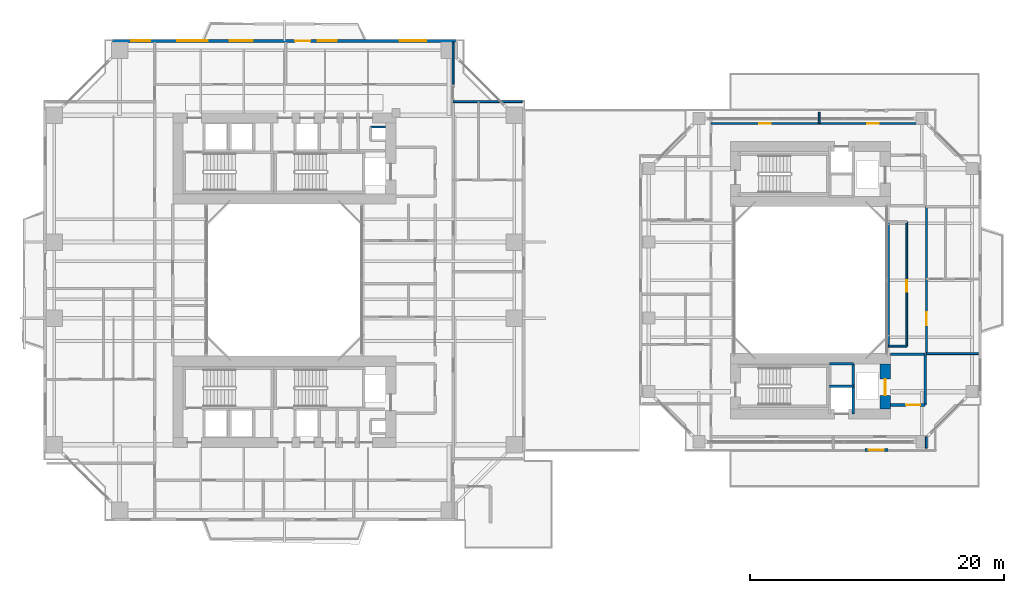
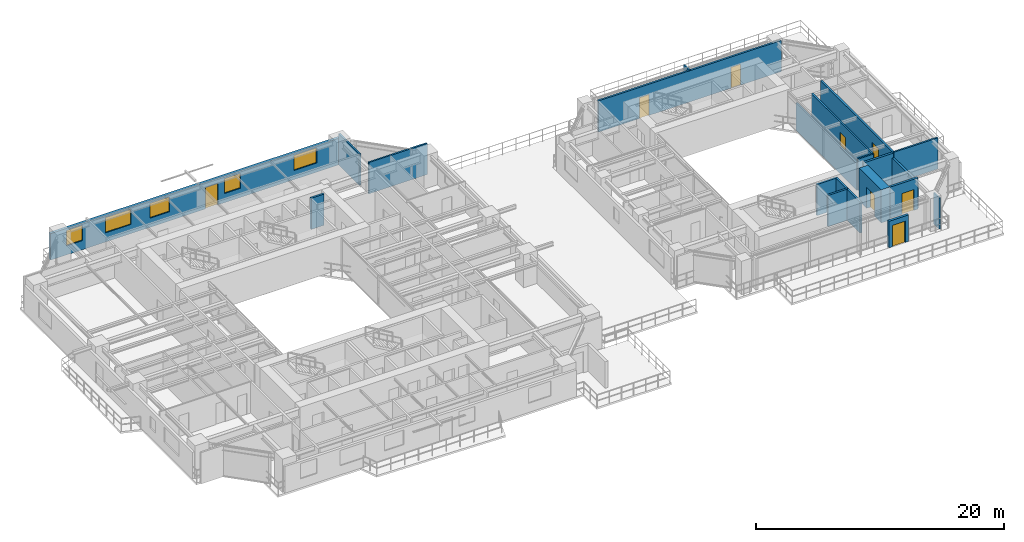
# One storey, part 15 of 22: 20 walls, 8 doors, 5 windows, 13 openings.
"""IFC4 building model written with IfcOpenShell, lengths in metres."""

from ifc_helpers import new_model, si_unit, direction, frame, frame_2d, origin, place, context, subcontext, project, spatial, rectangle, extrude, source, transform, mapped, material, layer, layer_set, type_object, element, fill, save


model = new_model("IFC4")

# Units and contexts
model_context = context("Model", 3, precision=1e-05, world=origin(), true_north=direction((0.0, 1.0)))
body_context = subcontext(model_context, "Body", "Model", "MODEL_VIEW")
ifc_project = project(units=[si_unit("LENGTHUNIT", "METRE"), si_unit("AREAUNIT", "SQUARE_METRE"), si_unit("VOLUMEUNIT", "CUBIC_METRE"), si_unit("PLANEANGLEUNIT", "RADIAN"), si_unit("MASSUNIT", "GRAM", prefix="KILO"), si_unit("THERMODYNAMICTEMPERATUREUNIT", "KELVIN"), si_unit("POWERUNIT", "WATT")], contexts=[model_context])

# Site, building, storey
site_placement = place(None, origin())
site = spatial("IfcSite", under=ifc_project, at=site_placement, CompositionType="ELEMENT")
building_placement = place(site_placement, origin())
building = spatial("IfcBuilding", under=site, at=building_placement, Name="Qiaomeng Ring Towers", CompositionType="ELEMENT")
storey_placement = place(building_placement, frame((0.0, 0.0, 23.0)))
storey = spatial("IfcBuildingStorey", under=building, at=storey_placement, Name="L05", CompositionType="ELEMENT", Elevation=23.0)

# Wall, openings, windows, door
ifc_material_1 = material(Name="Precast concrete C40", Category="concrete")
ifc_layer_1 = layer(ifc_material_1, 0.25, Name="Precast concrete C40")
ifc_layer_set_1 = layer_set([ifc_layer_1], Name="Precast concrete C40")
wall_type_1 = type_object("IfcWallType", Name="ARC-WL-EW1", PredefinedType="STANDARD", material=ifc_layer_set_1)
wall_1_placement = place(storey_placement, frame((5.449951171875, 41.875, 0.0), z_axis=(0.0, 0.0, 1.0), x_axis=(1.0, 0.0, 0.0)))
wall_1 = element("IfcWall", 1, at=wall_1_placement, inside=storey, type_object=wall_type_1, Name="L05 Tower 1 N Exterior Wall", PredefinedType="STANDARD", context=body_context, shape_type="SweptSolid", body=[
    extrude(rectangle(XDim=27.10009765625, YDim=0.25, at=frame_2d((13.550048828125, 0.0))), origin(), (0.0, 0.0, 1.0), 2.610107421875),
])
opening_1_placement = place(wall_1_placement, frame((14.39990234375, 0.0, 0.0)))
opening_1 = element("IfcOpeningElement", 2, at=opening_1_placement, cuts=wall_1, Name="Opening BD1", PredefinedType="OPENING", context=body_context, shape_type="SweptSolid", body=[
    extrude(rectangle(XDim=1.199951171875, YDim=2.10009765625, at=frame_2d((0.60009765625, 1.050048828125))), frame((0.0, 0.135009765625, 0.0), z_axis=(0.0, -1.0, 0.0), x_axis=(1.0, 0.0, 0.0)), (0.0, 0.0, 1.0), 0.27001953125),
])
opening_2_placement = place(wall_1_placement, frame((1.47998046875, 0.0, 0.89990234375)))
opening_2 = element("IfcOpeningElement", 3, at=opening_2_placement, cuts=wall_1, Name="Opening WN2", PredefinedType="OPENING", context=body_context, shape_type="SweptSolid", body=[
    extrude(rectangle(XDim=1.5, YDim=1.5, at=frame_2d((0.75, 0.75))), frame((0.0, 0.135009765625, 0.0), z_axis=(0.0, -1.0, 0.0), x_axis=(1.0, 0.0, 0.0)), (0.0, 0.0, 1.0), 0.27001953125),
])
opening_3_placement = place(wall_1_placement, frame((9.262939453125, 0.0, 0.89990234375)))
opening_3 = element("IfcOpeningElement", 4, at=opening_3_placement, cuts=wall_1, Name="Opening WN1", PredefinedType="OPENING", context=body_context, shape_type="SweptSolid", body=[
    extrude(rectangle(XDim=1.800048828125, YDim=1.449951171875, at=frame_2d((0.89990234375, 0.72509765625))), frame((0.0, 0.135009765625, 0.0), z_axis=(0.0, -1.0, 0.0), x_axis=(1.0, 0.0, 0.0)), (0.0, 0.0, 1.0), 0.27001953125),
])
opening_4_placement = place(wall_1_placement, frame((16.18798828125, 0.0, 0.89990234375)))
opening_4 = element("IfcOpeningElement", 5, at=opening_4_placement, cuts=wall_1, Name="Opening WN2", PredefinedType="OPENING", context=body_context, shape_type="SweptSolid", body=[
    extrude(rectangle(XDim=1.5, YDim=1.449951171875, at=frame_2d((0.75, 0.72509765625))), frame((0.0, 0.135009765625, 0.0), z_axis=(0.0, -1.0, 0.0), x_axis=(1.0, 0.0, 0.0)), (0.0, 0.0, 1.0), 0.27001953125),
])
opening_5_placement = place(wall_1_placement, frame((22.6630859375, 0.0, 0.89990234375)))
opening_5 = element("IfcOpeningElement", 6, at=opening_5_placement, cuts=wall_1, Name="Opening WN4", PredefinedType="OPENING", context=body_context, shape_type="SweptSolid", body=[
    extrude(rectangle(XDim=2.10009765625, YDim=1.47998046875, at=frame_2d((1.050048828125, 0.739990234375))), frame((0.0, 0.135009765625, 0.0), z_axis=(0.0, -1.0, 0.0), x_axis=(1.0, 0.0, 0.0)), (0.0, 0.0, 1.0), 0.27001953125),
])
opening_6_placement = place(wall_1_placement, frame((5.114013671875, 0.0, 0.89990234375)))
opening_6 = element("IfcOpeningElement", 7, at=opening_6_placement, cuts=wall_1, Name="Opening WN6", PredefinedType="OPENING", context=body_context, shape_type="SweptSolid", body=[
    extrude(rectangle(XDim=2.39990234375, YDim=1.5, at=frame_2d((1.199951171875, 0.75))), frame((0.0, 0.135009765625, 0.0), z_axis=(0.0, -1.0, 0.0), x_axis=(1.0, 0.0, 0.0)), (0.0, 0.0, 1.0), 0.27001953125),
])
ifc_material_2 = material(Name="Low-E dark-grey laminated double glazing", Category="glass")
window_type_1 = type_object("IfcWindowType", Name="ARC-WN-2", PartitioningType="DOUBLE_PANEL_VERTICAL", PredefinedType="WINDOW", material=ifc_material_2)
shared_shape_1 = source(origin(), body_context, "Body", "SweptSolid", [
    extrude(rectangle(XDim=1.5, YDim=1.449951171875, at=frame_2d((0.75, 0.72509765625))), frame((0.0, 0.030029296875, 0.0), z_axis=(0.0, -1.0, 0.0), x_axis=(1.0, 0.0, 0.0)), (0.0, 0.0, 1.0), 0.06005859375),
])
window_1_placement = place(opening_4_placement, origin())
window_1 = element("IfcWindow", 8, at=window_1_placement, inside=storey, type_object=window_type_1, Name="L05 Exterior Window WN2", OverallHeight=1.449951171875, OverallWidth=1.5, PartitioningType="DOUBLE_PANEL_VERTICAL", PredefinedType="WINDOW", context=body_context, shape_type="MappedRepresentation", body=[
    mapped(shared_shape_1, transform((0.0, 0.0, 0.0), x_axis=(1.0, 0.0, 0.0), y_axis=(0.0, 1.0, 0.0), z_axis=(0.0, 0.0, 1.0), scale=1.0)),
])
fill(opening_4, window_1)
window_type_2 = type_object("IfcWindowType", Name="ARC-WN-4", PartitioningType="TRIPLE_PANEL_VERTICAL", PredefinedType="WINDOW", material=ifc_material_2)
shared_shape_2 = source(origin(), body_context, "Body", "SweptSolid", [
    extrude(rectangle(XDim=2.10009765625, YDim=1.47998046875, at=frame_2d((1.050048828125, 0.739990234375))), frame((0.0, 0.030029296875, 0.0), z_axis=(0.0, -1.0, 0.0), x_axis=(1.0, 0.0, 0.0)), (0.0, 0.0, 1.0), 0.06005859375),
])
window_2_placement = place(opening_5_placement, origin())
window_2 = element("IfcWindow", 9, at=window_2_placement, inside=storey, type_object=window_type_2, Name="L05 Exterior Window WN4", OverallHeight=1.47998046875, OverallWidth=2.10009765625, PartitioningType="TRIPLE_PANEL_VERTICAL", PredefinedType="WINDOW", context=body_context, shape_type="MappedRepresentation", body=[
    mapped(shared_shape_2, transform((0.0, 0.0, 0.0), x_axis=(1.0, 0.0, 0.0), y_axis=(0.0, 1.0, 0.0), z_axis=(0.0, 0.0, 1.0), scale=1.0)),
])
fill(opening_5, window_2)
window_type_3 = type_object("IfcWindowType", Name="ARC-WN-1", PartitioningType="DOUBLE_PANEL_VERTICAL", PredefinedType="WINDOW", material=ifc_material_2)
shared_shape_3 = source(origin(), body_context, "Body", "SweptSolid", [
    extrude(rectangle(XDim=1.800048828125, YDim=1.449951171875, at=frame_2d((0.89990234375, 0.72509765625))), frame((0.0, 0.030029296875, 0.0), z_axis=(0.0, -1.0, 0.0), x_axis=(1.0, 0.0, 0.0)), (0.0, 0.0, 1.0), 0.06005859375),
])
window_3_placement = place(opening_3_placement, origin())
window_3 = element("IfcWindow", 10, at=window_3_placement, inside=storey, type_object=window_type_3, Name="L05 Exterior Window WN1", OverallHeight=1.449951171875, OverallWidth=1.800048828125, PartitioningType="DOUBLE_PANEL_VERTICAL", PredefinedType="WINDOW", context=body_context, shape_type="MappedRepresentation", body=[
    mapped(shared_shape_3, transform((0.0, 0.0, 0.0), x_axis=(1.0, 0.0, 0.0), y_axis=(0.0, 1.0, 0.0), z_axis=(0.0, 0.0, 1.0), scale=1.0)),
])
fill(opening_3, window_3)
door_type_1 = type_object("IfcDoorType", Name="ARC-DR-BD1", OperationType="NOTDEFINED", PredefinedType="DOOR", material=ifc_material_2)
shared_shape_4 = source(origin(), body_context, "Body", "SweptSolid", [
    extrude(rectangle(XDim=1.199951171875, YDim=2.10009765625, at=frame_2d((0.60009765625, 1.050048828125))), frame((0.0, 0.02490234375, 0.0), z_axis=(0.0, -1.0, 0.0), x_axis=(1.0, 0.0, 0.0)), (0.0, 0.0, 1.0), 0.050048828125),
])
door_1_placement = place(opening_1_placement, origin())
door_1 = element("IfcDoor", 11, at=door_1_placement, inside=storey, type_object=door_type_1, Name="L05 N Balcony Glazed Door", OperationType="SINGLE_SWING_LEFT", OverallHeight=2.10009765625, OverallWidth=1.199951171875, PredefinedType="DOOR", context=body_context, shape_type="MappedRepresentation", body=[
    mapped(shared_shape_4, transform((0.0, 0.0, 0.0), x_axis=(1.0, 0.0, 0.0), y_axis=(0.0, 1.0, 0.0), z_axis=(0.0, 0.0, 1.0), scale=1.0)),
])
fill(opening_1, door_1)
shared_shape_5 = source(origin(), body_context, "Body", "SweptSolid", [
    extrude(rectangle(XDim=1.5, YDim=1.5, at=frame_2d((0.75, 0.75))), frame((0.0, 0.030029296875, 0.0), z_axis=(0.0, -1.0, 0.0), x_axis=(1.0, 0.0, 0.0)), (0.0, 0.0, 1.0), 0.06005859375),
])
window_4_placement = place(opening_2_placement, origin())
window_4 = element("IfcWindow", 12, at=window_4_placement, inside=storey, type_object=window_type_1, Name="L05 Exterior Window WN6", OverallHeight=1.5, OverallWidth=1.5, PartitioningType="TRIPLE_PANEL_VERTICAL", PredefinedType="WINDOW", context=body_context, shape_type="MappedRepresentation", body=[
    mapped(shared_shape_5, transform((0.0, 0.0, 0.0), x_axis=(1.0, 0.0, 0.0), y_axis=(0.0, 1.0, 0.0), z_axis=(0.0, 0.0, 1.0), scale=1.0)),
])
fill(opening_2, window_4)
window_type_4 = type_object("IfcWindowType", Name="ARC-WN-6", PartitioningType="TRIPLE_PANEL_VERTICAL", PredefinedType="WINDOW", material=ifc_material_2)
shared_shape_6 = source(origin(), body_context, "Body", "SweptSolid", [
    extrude(rectangle(XDim=2.39990234375, YDim=1.5, at=frame_2d((1.199951171875, 0.75))), frame((0.0, 0.030029296875, 0.0), z_axis=(0.0, -1.0, 0.0), x_axis=(1.0, 0.0, 0.0)), (0.0, 0.0, 1.0), 0.06005859375),
])
window_5_placement = place(opening_6_placement, origin())
window_5 = element("IfcWindow", 13, at=window_5_placement, inside=storey, type_object=window_type_4, Name="L05 Exterior Window WN6", OverallHeight=1.5, OverallWidth=2.39990234375, PartitioningType="TRIPLE_PANEL_VERTICAL", PredefinedType="WINDOW", context=body_context, shape_type="MappedRepresentation", body=[
    mapped(shared_shape_6, transform((0.0, 0.0, 0.0), x_axis=(1.0, 0.0, 0.0), y_axis=(0.0, 1.0, 0.0), z_axis=(0.0, 0.0, 1.0), scale=1.0)),
])
fill(opening_6, window_5)

# Wall, opening, door
ifc_layer_2 = layer(ifc_material_1, 0.219970703125, Name="Precast concrete C40")
ifc_layer_set_2 = layer_set([ifc_layer_2], Name="Precast concrete C40")
wall_type_2 = type_object("IfcWallType", Name="ARC-WL-EW2", PredefinedType="STANDARD", material=ifc_layer_set_2)
wall_2_placement = place(storey_placement, frame((64.800048828125, 9.610107421875, 0.0), z_axis=(0.0, 0.0, 1.0), x_axis=(1.0, 0.0, 0.0)))
wall_2 = element("IfcWall", 14, at=wall_2_placement, inside=storey, type_object=wall_type_2, Name="L05 Companion South Terrace Gate Wall", PredefinedType="STANDARD", context=body_context, shape_type="SweptSolid", body=[
    extrude(rectangle(XDim=1.800048828125, YDim=0.219970703125, at=frame_2d((0.89990234375, 0.0))), origin(), (0.0, 0.0, 1.0), 2.610107421875),
])
opening_7_placement = place(wall_2_placement, frame((0.300048828125, 0.0, 0.0)))
opening_7 = element("IfcOpeningElement", 15, at=opening_7_placement, cuts=wall_2, Name="Opening BD1", PredefinedType="OPENING", context=body_context, shape_type="SweptSolid", body=[
    extrude(rectangle(XDim=1.199951171875, YDim=2.10009765625, at=frame_2d((0.60009765625, 1.050048828125))), frame((0.0, 0.119873046875, 0.0), z_axis=(0.0, -1.0, 0.0), x_axis=(1.0, 0.0, 0.0)), (0.0, 0.0, 1.0), 0.239990234375),
])
door_2_placement = place(opening_7_placement, frame((1.199951171875, 0.0, 0.0), z_axis=(0.0, 0.0, 1.0), x_axis=(-1.0, 0.0, 0.0)))
door_2 = element("IfcDoor", 16, at=door_2_placement, inside=storey, type_object=door_type_1, Name="L05 Companion South Roof Terrace Door", OperationType="SINGLE_SWING_LEFT", OverallHeight=2.10009765625, OverallWidth=1.199951171875, PredefinedType="DOOR", context=body_context, shape_type="MappedRepresentation", body=[
    mapped(shared_shape_4, transform((0.0, 0.0, 0.0), x_axis=(1.0, 0.0, 0.0), y_axis=(0.0, 1.0, 0.0), z_axis=(0.0, 0.0, 1.0), scale=1.0)),
])
fill(opening_7, door_2)

# Walls
ifc_material_3 = material(Name="Autoclaved aerated concrete block", Category="concrete")
ifc_layer_3 = layer(ifc_material_3, 0.199951171875, Name="Autoclaved aerated concrete block")
ifc_layer_set_3 = layer_set([ifc_layer_3], Name="Autoclaved aerated concrete block")
wall_type_3 = type_object("IfcWallType", Name="ARC-WL-PW1", PredefinedType="PARTITIONING", material=ifc_layer_set_3)
wall_3_placement = place(storey_placement, frame((66.800048828125, 17.14990234375, 0.0), z_axis=(0.0, 0.0, 1.0), x_axis=(1.0, 0.0, 0.0)))
element("IfcWall", 17, at=wall_3_placement, inside=storey, type_object=wall_type_3, Name="L05 Interior Wall PW1", PredefinedType="PARTITIONING", context=body_context, shape_type="SweptSolid", body=[
    extrude(rectangle(XDim=2.75, YDim=0.199951171875, at=frame_2d((1.375, 0.0))), origin(), (0.0, 0.0, 1.0), 3.070068359375),
])
wall_4_placement = place(storey_placement, frame((69.550048828125, 13.14990234375, 0.0), z_axis=(0.0, 0.0, 1.0), x_axis=(0.0, 1.0, 0.0)))
element("IfcWall", 18, at=wall_4_placement, inside=storey, type_object=wall_type_3, Name="L05 Interior Wall PW1", PredefinedType="PARTITIONING", context=body_context, shape_type="SweptSolid", body=[
    extrude(rectangle(XDim=4.0, YDim=0.199951171875, at=frame_2d((2.0, 0.0))), origin(), (0.0, 0.0, 1.0), 2.614990234375),
])

# Wall, opening, door
wall_5_placement = place(storey_placement, frame((66.800048828125, 13.14990234375, 0.0), z_axis=(0.0, 0.0, 1.0), x_axis=(1.0, 0.0, 0.0)))
wall_5 = element("IfcWall", 19, at=wall_5_placement, inside=storey, type_object=wall_type_3, Name="L05 Interior Wall PW1", PredefinedType="PARTITIONING", context=body_context, shape_type="SweptSolid", body=[
    extrude(rectangle(XDim=2.75, YDim=0.199951171875, at=frame_2d((1.375, 0.0))), origin(), (0.0, 0.0, 1.0), 3.070068359375),
])
opening_8_placement = place(wall_5_placement, frame((1.25, 0.0, 0.0)))
opening_8 = element("IfcOpeningElement", 20, at=opening_8_placement, cuts=wall_5, Name="Opening FD3", PredefinedType="OPENING", context=body_context, shape_type="SweptSolid", body=[
    extrude(rectangle(XDim=1.10009765625, YDim=2.050048828125, at=frame_2d((0.550048828125, 1.02490234375))), frame((0.0, 0.10986328125, 0.0), z_axis=(0.0, -1.0, 0.0), x_axis=(1.0, 0.0, 0.0)), (0.0, 0.0, 1.0), 0.219970703125),
])
ifc_material_4 = material(Name="Galvanised steel", Category="steel")
door_type_2 = type_object("IfcDoorType", Name="ARC-DR-FD3", OperationType="NOTDEFINED", PredefinedType="DOOR", material=ifc_material_4)
shared_shape_7 = source(origin(), body_context, "Body", "SweptSolid", [
    extrude(rectangle(XDim=1.10009765625, YDim=2.050048828125, at=frame_2d((0.550048828125, 1.02490234375))), frame((0.0, 0.02490234375, 0.0), z_axis=(0.0, -1.0, 0.0), x_axis=(1.0, 0.0, 0.0)), (0.0, 0.0, 1.0), 0.050048828125),
])
door_3_placement = place(opening_8_placement, origin())
door_3 = element("IfcDoor", 21, at=door_3_placement, inside=storey, type_object=door_type_2, Name="L05 Door FD3", OperationType="SINGLE_SWING_RIGHT", OverallHeight=2.050048828125, OverallWidth=1.10009765625, PredefinedType="DOOR", context=body_context, shape_type="MappedRepresentation", body=[
    mapped(shared_shape_7, transform((0.0, 0.0, 0.0), x_axis=(1.0, 0.0, 0.0), y_axis=(0.0, 1.0, 0.0), z_axis=(0.0, 0.0, 1.0), scale=1.0)),
])
fill(opening_8, door_3)

ifc_layer_4 = layer(ifc_material_3, 0.179931640625, Name="Autoclaved aerated concrete block")
ifc_layer_set_4 = layer_set([ifc_layer_4], Name="Autoclaved aerated concrete block")
wall_type_4 = type_object("IfcWallType", Name="ARC-WL-PW2", PredefinedType="PARTITIONING", material=ifc_layer_set_4)
wall_6_placement = place(storey_placement, frame((69.64990234375, 17.199951171875, 0.0), z_axis=(0.0, 0.0, 1.0), x_axis=(0.0, 1.0, 0.0)))
wall_6 = element("IfcWall", 22, at=wall_6_placement, inside=storey, type_object=wall_type_4, Name="L05 Interior Wall PW2", PredefinedType="PARTITIONING", context=body_context, shape_type="SweptSolid", body=[
    extrude(rectangle(XDim=11.60009765625, YDim=0.179931640625, at=frame_2d((5.800048828125, 0.0))), origin(), (0.0, 0.0, 1.0), 3.070068359375),
])
opening_9_placement = place(wall_6_placement, frame((2.260009765625, 0.0, 0.0)))
opening_9 = element("IfcOpeningElement", 23, at=opening_9_placement, cuts=wall_6, Name="Opening FD4", PredefinedType="OPENING", context=body_context, shape_type="SweptSolid", body=[
    extrude(rectangle(XDim=1.0, YDim=2.050048828125, at=frame_2d((0.5, 1.02490234375))), frame((0.0, 0.099853515625, 0.0), z_axis=(0.0, -1.0, 0.0), x_axis=(1.0, 0.0, 0.0)), (0.0, 0.0, 1.0), 0.199951171875),
])
ifc_material_5 = material(Name="Engineered fire-rated oak timber", Category="wood")
door_type_3 = type_object("IfcDoorType", Name="ARC-DR-FD4", OperationType="NOTDEFINED", PredefinedType="DOOR", material=ifc_material_5)
shared_shape_8 = source(origin(), body_context, "Body", "SweptSolid", [
    extrude(rectangle(XDim=1.0, YDim=2.050048828125, at=frame_2d((0.5, 1.02490234375))), frame((0.0, 0.02490234375, 0.0), z_axis=(0.0, -1.0, 0.0), x_axis=(1.0, 0.0, 0.0)), (0.0, 0.0, 1.0), 0.050048828125),
])
door_4_placement = place(opening_9_placement, origin())
door_4 = element("IfcDoor", 24, at=door_4_placement, inside=storey, type_object=door_type_3, Name="L05 Door FD4", OperationType="SINGLE_SWING_RIGHT", OverallHeight=2.050048828125, OverallWidth=1.0, PredefinedType="DOOR", context=body_context, shape_type="MappedRepresentation", body=[
    mapped(shared_shape_8, transform((0.0, 0.0, 0.0), x_axis=(1.0, 0.0, 0.0), y_axis=(0.0, 1.0, 0.0), z_axis=(0.0, 0.0, 1.0), scale=1.0)),
])
fill(opening_9, door_4)

# Wall, openings, doors
wall_7_placement = place(storey_placement, frame((52.64990234375, 35.35009765625, 0.0), z_axis=(0.0, 0.0, 1.0), x_axis=(1.0, 0.0, 0.0)))
wall_7 = element("IfcWall", 25, at=wall_7_placement, inside=storey, type_object=wall_type_4, Name="L05 Interior Wall PW2", PredefinedType="PARTITIONING", context=body_context, shape_type="SweptSolid", body=[
    extrude(rectangle(XDim=17.0, YDim=0.179931640625, at=frame_2d((8.5, 0.0))), origin(), (0.0, 0.0, 1.0), 3.070068359375),
])
opening_10_placement = place(wall_7_placement, frame((3.824951171875, 0.0, 0.0)))
opening_10 = element("IfcOpeningElement", 26, at=opening_10_placement, cuts=wall_7, Name="Opening ID1", PredefinedType="OPENING", context=body_context, shape_type="SweptSolid", body=[
    extrude(rectangle(XDim=0.89990234375, YDim=2.050048828125, at=frame_2d((0.449951171875, 1.02490234375))), frame((0.0, 0.099853515625, 0.0), z_axis=(0.0, -1.0, 0.0), x_axis=(1.0, 0.0, 0.0)), (0.0, 0.0, 1.0), 0.199951171875),
])
opening_11_placement = place(wall_7_placement, frame((12.324951171875, 0.0, 0.0)))
opening_11 = element("IfcOpeningElement", 27, at=opening_11_placement, cuts=wall_7, Name="Opening ID1", PredefinedType="OPENING", context=body_context, shape_type="SweptSolid", body=[
    extrude(rectangle(XDim=0.89990234375, YDim=2.050048828125, at=frame_2d((0.449951171875, 1.02490234375))), frame((0.0, 0.099853515625, 0.0), z_axis=(0.0, -1.0, 0.0), x_axis=(1.0, 0.0, 0.0)), (0.0, 0.0, 1.0), 0.199951171875),
])
ifc_material_6 = material(Name="Engineered oak timber", Category="wood")
door_type_4 = type_object("IfcDoorType", Name="ARC-DR-ID1", OperationType="NOTDEFINED", PredefinedType="DOOR", material=ifc_material_6)
shared_shape_9 = source(origin(), body_context, "Body", "SweptSolid", [
    extrude(rectangle(XDim=0.89990234375, YDim=2.050048828125, at=frame_2d((0.449951171875, 1.02490234375))), frame((0.0, 0.02490234375, 0.0), z_axis=(0.0, -1.0, 0.0), x_axis=(1.0, 0.0, 0.0)), (0.0, 0.0, 1.0), 0.050048828125),
])
door_5_placement = place(opening_10_placement, origin())
door_5 = element("IfcDoor", 28, at=door_5_placement, inside=storey, type_object=door_type_4, Name="L05 Door ID1", OperationType="SINGLE_SWING_RIGHT", OverallHeight=2.050048828125, OverallWidth=0.89990234375, PredefinedType="DOOR", context=body_context, shape_type="MappedRepresentation", body=[
    mapped(shared_shape_9, transform((0.0, 0.0, 0.0), x_axis=(1.0, 0.0, 0.0), y_axis=(0.0, 1.0, 0.0), z_axis=(0.0, 0.0, 1.0), scale=1.0)),
])
fill(opening_10, door_5)
door_6_placement = place(opening_11_placement, origin())
door_6 = element("IfcDoor", 29, at=door_6_placement, inside=storey, type_object=door_type_4, Name="L05 Door ID1", OperationType="SINGLE_SWING_LEFT", OverallHeight=2.050048828125, OverallWidth=0.89990234375, PredefinedType="DOOR", context=body_context, shape_type="MappedRepresentation", body=[
    mapped(shared_shape_9, transform((0.0, 0.0, 0.0), x_axis=(1.0, 0.0, 0.0), y_axis=(0.0, 1.0, 0.0), z_axis=(0.0, 0.0, 1.0), scale=1.0)),
])
fill(opening_11, door_6)

# Walls
ifc_material_7 = material(Name="Gypsum fireboard steel-stud partition", Category="steel")
ifc_layer_5 = layer(ifc_material_7, 0.14990234375, Name="Gypsum fireboard steel-stud partition")
ifc_layer_set_5 = layer_set([ifc_layer_5], Name="Gypsum fireboard steel-stud partition")
wall_type_5 = type_object("IfcWallType", Name="ARC-WL-PW3", PredefinedType="PARTITIONING", material=ifc_layer_set_5)
wall_8_placement = place(storey_placement, frame((32.320068359375, 38.43994140625, 0.0), z_axis=(0.0, 0.0, 1.0), x_axis=(0.0, 1.0, 0.0)))
element("IfcWall", 30, at=wall_8_placement, inside=storey, type_object=wall_type_5, Name="L05 Interior Wall PW3", PredefinedType="PARTITIONING", context=body_context, shape_type="SweptSolid", body=[
    extrude(rectangle(XDim=3.31005859375, YDim=0.14990234375, at=frame_2d((1.655029296875, 0.0))), origin(), (0.0, 0.0, 1.0), 3.070068359375),
])
wall_9_placement = place(storey_placement, frame((32.320068359375, 37.080078125, 0.0), z_axis=(0.0, 0.0, 1.0), x_axis=(1.0, 0.0, 0.0)))
element("IfcWall", 31, at=wall_9_placement, inside=storey, type_object=wall_type_5, Name="L05 Interior Wall PW3", PredefinedType="PARTITIONING", context=body_context, shape_type="SweptSolid", body=[
    extrude(rectangle(XDim=5.429931640625, YDim=0.14990234375, at=frame_2d((2.71484375, 0.0))), origin(), (0.0, 0.0, 1.0), 3.070068359375),
])
wall_10_placement = place(storey_placement, frame((69.64990234375, 17.199951171875, 0.0), z_axis=(0.0, 0.0, 1.0), x_axis=(1.0, 0.0, 0.0)))
element("IfcWall", 32, at=wall_10_placement, inside=storey, type_object=wall_type_5, Name="L05 Interior Wall PW3", PredefinedType="PARTITIONING", context=body_context, shape_type="SweptSolid", body=[
    extrude(rectangle(XDim=4.10009765625, YDim=0.14990234375, at=frame_2d((2.050048828125, 0.0))), origin(), (0.0, 0.0, 1.0), 3.070068359375),
])

# Wall, opening, door
wall_11_placement = place(storey_placement, frame((68.10009765625, 17.800048828125, 0.0), z_axis=(0.0, 0.0, 1.0), x_axis=(0.0, 1.0, 0.0)))
wall_11 = element("IfcWall", 33, at=wall_11_placement, inside=storey, type_object=wall_type_5, Name="L05 Interior Wall PW3", PredefinedType="PARTITIONING", context=body_context, shape_type="SweptSolid", body=[
    extrude(rectangle(XDim=9.800048828125, YDim=0.14990234375, at=frame_2d((4.89990234375, 0.0))), origin(), (0.0, 0.0, 1.0), 3.070068359375),
])
opening_12_placement = place(wall_11_placement, frame((4.300048828125, 0.0, 0.0)))
opening_12 = element("IfcOpeningElement", 34, at=opening_12_placement, cuts=wall_11, Name="Opening ID1", PredefinedType="OPENING", context=body_context, shape_type="SweptSolid", body=[
    extrude(rectangle(XDim=0.89990234375, YDim=2.050048828125, at=frame_2d((0.449951171875, 1.02490234375))), frame((0.0, 0.0849609375, 0.0), z_axis=(0.0, -1.0, 0.0), x_axis=(1.0, 0.0, 0.0)), (0.0, 0.0, 1.0), 0.169921875),
])
door_7_placement = place(opening_12_placement, origin())
door_7 = element("IfcDoor", 35, at=door_7_placement, inside=storey, type_object=door_type_4, Name="L05 Door ID1", OperationType="SINGLE_SWING_LEFT", OverallHeight=2.050048828125, OverallWidth=0.89990234375, PredefinedType="DOOR", context=body_context, shape_type="MappedRepresentation", body=[
    mapped(shared_shape_9, transform((0.0, 0.0, 0.0), x_axis=(1.0, 0.0, 0.0), y_axis=(0.0, 1.0, 0.0), z_axis=(0.0, 0.0, 1.0), scale=1.0)),
])
fill(opening_12, door_7)

# Walls
wall_12_placement = place(storey_placement, frame((66.64990234375, 17.800048828125, 0.0), z_axis=(0.0, 0.0, 1.0), x_axis=(1.0, 0.0, 0.0)))
element("IfcWall", 36, at=wall_12_placement, inside=storey, type_object=wall_type_5, Name="L05 Interior Wall PW3", PredefinedType="PARTITIONING", context=body_context, shape_type="SweptSolid", body=[
    extrude(rectangle(XDim=1.4501953125, YDim=0.14990234375, at=frame_2d((0.72509765625, 0.0))), origin(), (0.0, 0.0, 1.0), 3.070068359375),
])
wall_13_placement = place(storey_placement, frame((66.64990234375, 17.800048828125, 0.0), z_axis=(0.0, 0.0, 1.0), x_axis=(0.0, 1.0, 0.0)))
element("IfcWall", 37, at=wall_13_placement, inside=storey, type_object=wall_type_5, Name="L05 Interior Wall PW3", PredefinedType="PARTITIONING", context=body_context, shape_type="SweptSolid", body=[
    extrude(rectangle(XDim=9.800048828125, YDim=0.14990234375, at=frame_2d((4.89990234375, 0.0))), origin(), (0.0, 0.0, 1.0), 2.6650390625),
])
for number, where, z_axis, x_axis, name in (
    (38, (61.199951171875, 35.35009765625, 0.0), (0.0, 0.0, 1.0), (0.0, 1.0, 0.0), "L05 Interior Wall PW3"),
    (39, (69.64990234375, 9.75, 0.0), (0.0, 0.0, 1.0), (0.0, 1.0, 0.0), "L05 Interior Wall PW3"),
):
    element("IfcWall", number, at=place(storey_placement, frame(where, z_axis=z_axis, x_axis=x_axis)), inside=storey, type_object=wall_type_5, Name=name, PredefinedType="PARTITIONING", context=body_context, shape_type="SweptSolid", body=[
        extrude(rectangle(XDim=0.89990234375, YDim=0.14990234375, at=frame_2d((0.449951171875, 0.0))), origin(), (0.0, 0.0, 1.0), 3.070068359375),
    ])
ifc_material_8 = material(Name="Concrete C40", Category="concrete")
ifc_layer_6 = layer(ifc_material_8, 0.199951171875, Name="Concrete C40")
ifc_layer_set_6 = layer_set([ifc_layer_6], Name="Concrete C40")
wall_type_6 = type_object("IfcWallType", Name="STR-WL-STSHAFT", PredefinedType="SHEAR", material=ifc_layer_set_6)
wall_14_placement = place(storey_placement, frame((25.800048828125, 35.080078125, 0.0), z_axis=(0.0, 0.0, 1.0), x_axis=(1.0, 0.0, 0.0)))
element("IfcWall", 40, at=wall_14_placement, inside=storey, type_object=wall_type_6, Name="L05 Riser RSR1 North Shaft Wall N", PredefinedType="SHEAR", context=body_context, shape_type="SweptSolid", body=[
    extrude(rectangle(XDim=1.199951171875, YDim=0.179931640625, at=frame_2d((0.60009765625, 0.0))), origin(), (0.0, 0.0, 1.0), 3.070068359375),
])
wall_15_placement = place(storey_placement, frame((63.8798828125, 12.449951171875, 0.0), z_axis=(0.0, 0.0, 1.0), x_axis=(0.0, 1.0, 0.0)))
element("IfcWall", 41, at=wall_15_placement, inside=storey, type_object=wall_type_6, Name="L05 Companion Lift Shaft East Wall S", PredefinedType="SHEAR", context=body_context, shape_type="SweptSolid", body=[
    extrude(rectangle(XDim=3.949951171875, YDim=0.179931640625, at=frame_2d((1.97509765625, 0.0))), origin(), (0.0, 0.0, 1.0), 3.070068359375),
])
for number, where, z_axis, x_axis, name in (
    (42, (62.02001953125, 14.6201171875, 0.0), (0.0, 0.0, 1.0), (1.0, 0.0, 0.0), "L05 Companion Lift Shaft Divider Wall S"),
    (43, (62.02001953125, 16.39990234375, 0.0), (0.0, 0.0, 1.0), (1.0, 0.0, 0.0), "L05 Companion Riser Shaft Back Wall S"),
):
    element("IfcWall", number, at=place(storey_placement, frame(where, z_axis=z_axis, x_axis=x_axis)), inside=storey, type_object=wall_type_6, Name=name, PredefinedType="SHEAR", context=body_context, shape_type="SweptSolid", body=[
        extrude(rectangle(XDim=1.85986328125, YDim=0.179931640625, at=frame_2d((0.929931640625, 0.0))), origin(), (0.0, 0.0, 1.0), 3.070068359375),
    ])

# Wall, opening, door
ifc_material_9 = material(Name="Concrete C60", Category="concrete")
ifc_layer_7 = layer(ifc_material_9, 0.800048828125, Name="Concrete C60")
ifc_layer_set_7 = layer_set([ifc_layer_7], Name="Concrete C60")
wall_type_7 = type_object("IfcWallType", Name="STR-WL-SW1", PredefinedType="SHEAR", material=ifc_layer_set_7)
wall_16_placement = place(storey_placement, frame((66.39990234375, 12.85009765625, 0.0), z_axis=(0.0, 0.0, 1.0), x_axis=(0.0, 1.0, 0.0)))
wall_16 = element("IfcWall", 44, at=wall_16_placement, inside=storey, type_object=wall_type_7, Name="L05 T2SC east core shear wall", PredefinedType="SHEAR", context=body_context, shape_type="SweptSolid", body=[
    extrude(rectangle(XDim=3.5498046875, YDim=0.800048828125, at=frame_2d((1.77490234375, 0.0))), origin(), (0.0, 0.0, 1.0), 3.25),
])
opening_13_placement = place(wall_16_placement, frame((1.050048828125, 0.0, 0.0)))
opening_13 = element("IfcOpeningElement", 45, at=opening_13_placement, cuts=wall_16, Name="Opening LD2", PredefinedType="OPENING", context=body_context, shape_type="SweptSolid", body=[
    extrude(rectangle(XDim=1.300048828125, YDim=2.050048828125, at=frame_2d((0.64990234375, 1.02490234375))), frame((0.0, 0.409912109375, 0.0), z_axis=(0.0, -1.0, 0.0), x_axis=(1.0, 0.0, 0.0)), (0.0, 0.0, 1.0), 0.820068359375),
])
ifc_material_10 = material(Name="Stainless steel 316", Category="steel")
door_type_5 = type_object("IfcDoorType", Name="ARC-DR-LD2", OperationType="NOTDEFINED", PredefinedType="DOOR", material=ifc_material_10)
shared_shape_10 = source(origin(), body_context, "Body", "SweptSolid", [
    extrude(rectangle(XDim=1.300048828125, YDim=2.050048828125, at=frame_2d((0.64990234375, 1.02490234375))), frame((0.0, 0.02490234375, 0.0), z_axis=(0.0, -1.0, 0.0), x_axis=(1.0, 0.0, 0.0)), (0.0, 0.0, 1.0), 0.050048828125),
])
door_8_placement = place(opening_13_placement, origin())
door_8 = element("IfcDoor", 46, at=door_8_placement, inside=storey, type_object=door_type_5, Name="L05 Firefighting Lift FL4 Landing Door", OperationType="SLIDING_TO_RIGHT", OverallHeight=2.050048828125, OverallWidth=1.300048828125, PredefinedType="DOOR", context=body_context, shape_type="MappedRepresentation", body=[
    mapped(shared_shape_10, transform((0.0, 0.0, 0.0), x_axis=(1.0, 0.0, 0.0), y_axis=(0.0, 1.0, 0.0), z_axis=(0.0, 0.0, 1.0), scale=1.0)),
])
fill(opening_13, door_8)

save(model, "model.ifc")
